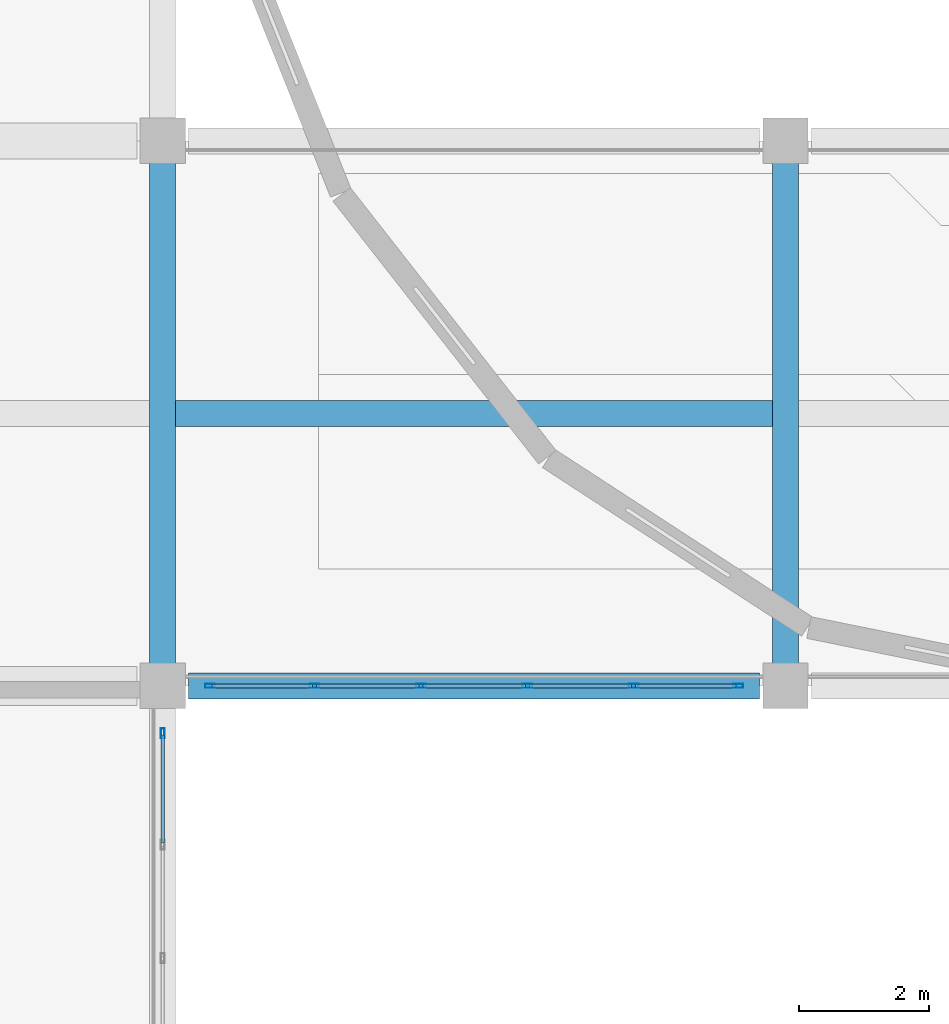
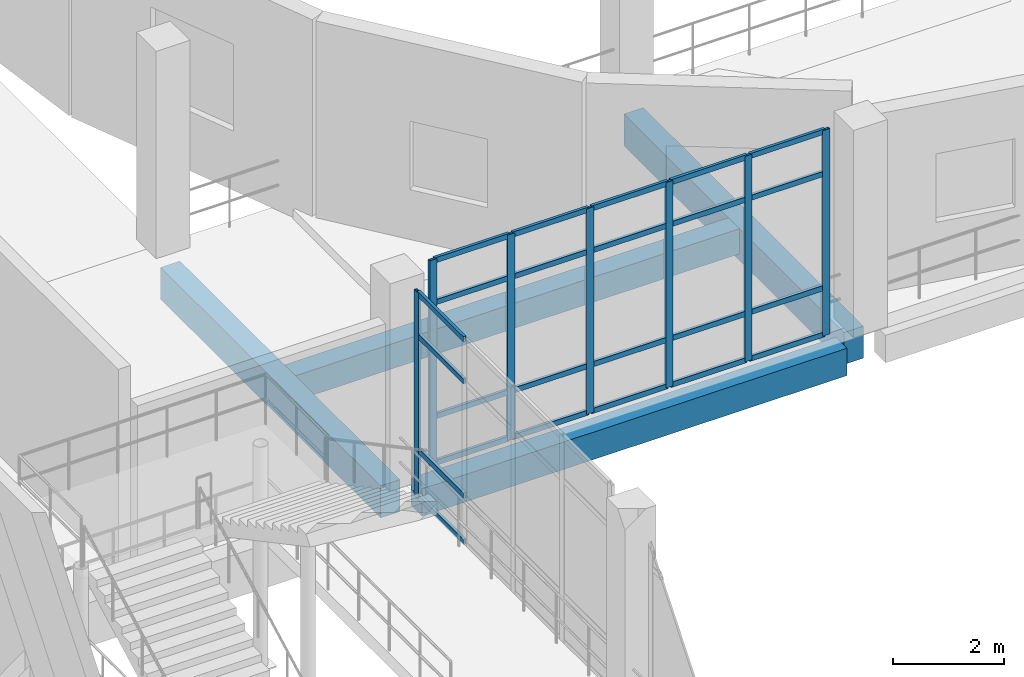
# One storey, part 43 of 102: 31 members, 4 beams, 2 elements without a shape of their own.
"""IFC4 building model written with IfcOpenShell, lengths in metres."""

import ifcopenshell
import ifcopenshell.guid

model = None  # the IFC model being written
_history = None  # IfcOwnerHistory: only IFC2X3 demands one
_inside = {}  # id of a spatial element -> (the spatial element, [elements in it])
_under = {}  # id of a project, library or spatial element -> (it, [spatial elements below it])
_declared = {}  # id of a project -> (the project, [libraries it declares])
_typed = {}  # id of a type object -> (the type object, [elements of that type])
_made_of = {}  # id of a material, layer set ... -> (it, [elements and type objects made of it])


def new_model(schema):
    """Start an empty IFC model of exactly this schema.

    Asked for "IFC4X3", IfcOpenShell would pick the latest addendum, in which some entities
    have other attributes; the version numbers below select the first issue.
    IFC2X3 requires an IfcOwnerHistory on every rooted entity: one is made here for all.
    """
    global model, _history
    if schema == "IFC4X3":
        model = ifcopenshell.file(schema_version=(4, 3, 0, 0))
    else:
        model = ifcopenshell.file(schema=schema)
    _inside.clear()
    _under.clear()
    _declared.clear()
    _typed.clear()
    _made_of.clear()
    _history = None
    if model.schema == "IFC2X3":
        org = make("IfcOrganization", Name="unknown")
        user = make(
            "IfcPersonAndOrganization",
            ThePerson=make("IfcPerson", FamilyName="unknown"),
            TheOrganization=org,
        )
        app = make(
            "IfcApplication",
            ApplicationDeveloper=org,
            Version="unknown",
            ApplicationFullName="unknown",
            ApplicationIdentifier="unknown",
        )
        _history = make(
            "IfcOwnerHistory",
            OwningUser=user,
            OwningApplication=app,
            ChangeAction="ADDED",
            CreationDate=0,
        )
    return model


def make(cls, **values):
    """One entity of the class cls with the attributes given. An attribute that is None is left unset."""
    return model.create_entity(
        cls, **{name: value for name, value in values.items() if value is not None}
    )


def rooted(cls, **values):
    """An entity with a GlobalId (a new one), such as an element, a storey or a relation."""
    return make(cls, GlobalId=ifcopenshell.guid.new(), OwnerHistory=_history, **values)


def si_unit(unit_type, name, prefix=None):
    """IfcSIUnit, for example si_unit("LENGTHUNIT", "METRE", prefix="MILLI")."""
    return make("IfcSIUnit", UnitType=unit_type, Prefix=prefix, Name=name)


def assignment(units):
    """IfcUnitAssignment: the units of a project."""
    return None if units is None else make("IfcUnitAssignment", Units=units)


def point(xyz):
    """IfcCartesianPoint."""
    return None if xyz is None else make("IfcCartesianPoint", Coordinates=xyz)


def direction(xyz):
    """IfcDirection."""
    return None if xyz is None else make("IfcDirection", DirectionRatios=xyz)


def frame(location, z_axis=None, x_axis=None):
    """IfcAxis2Placement3D, a coordinate frame: its origin and axes. An axis left out is left unset."""
    return make(
        "IfcAxis2Placement3D",
        Location=point(location),
        Axis=direction(z_axis),
        RefDirection=direction(x_axis),
    )


def frame_2d(location, x_axis=None):
    """IfcAxis2Placement2D, a coordinate frame in the plane: its origin and x axis."""
    return make(
        "IfcAxis2Placement2D", Location=point(location), RefDirection=direction(x_axis)
    )


def origin():
    """The frame at (0, 0, 0) with its axes left unset."""
    return frame((0.0, 0.0, 0.0))


def origin_2d():
    """The frame at (0, 0) in the plane with its x axis left unset."""
    return frame_2d((0.0, 0.0))


def place(relative_to, where):
    """IfcLocalPlacement: puts the frame where relative to a parent placement (None: the world)."""
    return make(
        "IfcLocalPlacement", PlacementRelTo=relative_to, RelativePlacement=where
    )


def context(
    kind, dimensions, precision=None, world=None, true_north=None, identifier=None
):
    """IfcGeometricRepresentationContext, for example the 3D "Model" context."""
    return make(
        "IfcGeometricRepresentationContext",
        ContextIdentifier=identifier,
        ContextType=kind,
        CoordinateSpaceDimension=dimensions,
        Precision=precision,
        WorldCoordinateSystem=world,
        TrueNorth=true_north,
    )


def subcontext(parent, identifier, kind, view, scale=None):
    """IfcGeometricRepresentationSubContext, for example "Body" below "Model"."""
    return make(
        "IfcGeometricRepresentationSubContext",
        ContextIdentifier=identifier,
        ContextType=kind,
        ParentContext=parent,
        TargetScale=scale,
        TargetView=view,
    )


def project(units=None, contexts=None):
    """IfcProject with its units and contexts."""
    return rooted(
        "IfcProject",
        Name="project",
        RepresentationContexts=contexts,
        UnitsInContext=assignment(units),
    )


def spatial(cls, under=None, at=None, **own):
    """A site, building, storey or space (cls), placed at a placement, below another one or the project."""
    s = rooted(cls, ObjectPlacement=at, **own)
    if under is not None:
        _under.setdefault(under.id(), (under, []))[1].append(s)
    return s


def profile(cls, at=None, kind="AREA", **sizes):
    """A parametric profile (cls). Its sizes go by their IFC names, for example OverallWidth=200.0."""
    return make(cls, ProfileType=kind, Position=at, **sizes)


def rectangle(**sizes):
    """IfcRectangleProfileDef."""
    return profile("IfcRectangleProfileDef", **sizes)


def hollow_rectangle(**sizes):
    """IfcRectangleHollowProfileDef."""
    return profile("IfcRectangleHollowProfileDef", **sizes)


def extrude(swept, where, along, depth):
    """IfcExtrudedAreaSolid: the profile swept, set in the frame where, extruded along a direction by depth."""
    return make(
        "IfcExtrudedAreaSolid",
        SweptArea=swept,
        Position=where,
        ExtrudedDirection=direction(along),
        Depth=depth,
    )


def shape(context_of_items, identifier, shape_type, items):
    """IfcShapeRepresentation: the items that make up one representation, for example the "Body"."""
    return make(
        "IfcShapeRepresentation",
        ContextOfItems=context_of_items,
        RepresentationIdentifier=identifier,
        RepresentationType=shape_type,
        Items=items,
    )


def material(Name=None, Category=None):
    """IfcMaterial."""
    return make("IfcMaterial", Name=Name, Category=Category)


def layer(
    of_material, thickness, ventilated=None, Name=None, Category=None, Priority=None
):
    """IfcMaterialLayer: one layer of a wall or slab, of a material (None: an air gap)."""
    return make(
        "IfcMaterialLayer",
        Material=of_material,
        LayerThickness=thickness,
        IsVentilated=ventilated,
        Name=Name,
        Category=Category,
        Priority=Priority,
    )


def layer_set(layers, Name=None):
    """IfcMaterialLayerSet."""
    return make("IfcMaterialLayerSet", MaterialLayers=layers, LayerSetName=Name)


def material_profile(
    of_material, cross_section, Name=None, Category=None, Priority=None
):
    """IfcMaterialProfile: a cross section and its material."""
    return make(
        "IfcMaterialProfile",
        Name=Name,
        Material=of_material,
        Profile=cross_section,
        Priority=Priority,
        Category=Category,
    )


def profile_set(profiles, Name=None, composite=None):
    """IfcMaterialProfileSet."""
    return make(
        "IfcMaterialProfileSet",
        Name=Name,
        MaterialProfiles=profiles,
        CompositeProfile=composite,
    )


def made_of(thing, what):
    """Note that an element or type object is made of a material, layer set ...; save() writes the relation."""
    if what is not None:
        _made_of.setdefault(what.id(), (what, []))[1].append(thing)
    return thing


def type_object(cls, material=None, **own):
    """A type object (cls), such as IfcWallType, which elements share."""
    return made_of(rooted(cls, **own), material)


def element(
    cls,
    number,
    at=None,
    inside=None,
    cuts=None,
    type_object=None,
    material=None,
    context=None,
    identifier="Body",
    shape_type=None,
    held_by="IfcProductDefinitionShape",
    body=None,
    shapes=None,
    **own,
):
    """One element of the class cls, such as IfcWall. Its Tag is "e" and its number.

    at: its placement. inside: the storey or other place that contains it. cuts: it is an
    opening in that element (IfcRelVoidsElement). A single representation is given by context,
    identifier, shape_type and body (its items); several are given by shapes. held_by: the class
    of the entity that holds the representations. save() writes the other relations.
    """
    e = rooted(cls, Tag="e%d" % number, ObjectPlacement=at, **own)
    if body is not None:
        shapes = [shape(context, identifier, shape_type, body)]
    if shapes is not None:
        e.Representation = make(held_by, Representations=shapes)
    if inside is not None:
        _inside.setdefault(inside.id(), (inside, []))[1].append(e)
    if cuts is not None:
        rooted(
            "IfcRelVoidsElement", RelatingBuildingElement=cuts, RelatedOpeningElement=e
        )
    if type_object is not None:
        _typed.setdefault(type_object.id(), (type_object, []))[1].append(e)
    return made_of(e, material)


def aggregate(whole, parts):
    """IfcRelAggregates: a whole, such as a stair, and the parts it consists of."""
    return rooted("IfcRelAggregates", RelatingObject=whole, RelatedObjects=parts)


def save(model, path):
    """Write the relations noted so far, then the file.

    IfcRelAggregates (storeys below a building ...), IfcRelContainedInSpatialStructure (elements
    in a storey), IfcRelDefinesByType, IfcRelAssociatesMaterial and IfcRelDeclares: one each for
    every whole, place, type object, material and project.
    """
    for whole, parts in _under.values():
        aggregate(whole, parts)
    for where, things in _inside.values():
        rooted(
            "IfcRelContainedInSpatialStructure",
            RelatedElements=things,
            RelatingStructure=where,
        )
    for kind, things in _typed.values():
        rooted("IfcRelDefinesByType", RelatedObjects=things, RelatingType=kind)
    for what, things in _made_of.values():
        rooted("IfcRelAssociatesMaterial", RelatedObjects=things, RelatingMaterial=what)
    for by, libraries in _declared.values():
        rooted("IfcRelDeclares", RelatingContext=by, RelatedDefinitions=libraries)
    model.write(path)


model = new_model("IFC4")

# Units and contexts
model_context = context("Model", 3, precision=1e-05, world=origin(), true_north=direction((0.0, 1.0)))
body_context = subcontext(model_context, "Body", "Model", "MODEL_VIEW")
ifc_project = project(units=[si_unit("LENGTHUNIT", "METRE"), si_unit("AREAUNIT", "SQUARE_METRE"), si_unit("VOLUMEUNIT", "CUBIC_METRE"), si_unit("PLANEANGLEUNIT", "RADIAN"), si_unit("MASSUNIT", "GRAM", prefix="KILO")], contexts=[model_context])

# Site, building, storey
site_placement = place(None, origin())
site = spatial("IfcSite", under=ifc_project, at=site_placement, CompositionType="ELEMENT")
building_placement = place(site_placement, origin())
building = spatial("IfcBuilding", under=site, at=building_placement, Name="Lornevale Opera House", CompositionType="ELEMENT")
storey_placement = place(building_placement, frame((0.0, 0.0, 5.39990234375)))
storey = spatial("IfcBuildingStorey", under=building, at=storey_placement, Name="L02", CompositionType="ELEMENT", Elevation=5.39990234375)

# Beams
ifc_material_1 = material(Name="Concrete 35 MPa (CSA A23.1 N)", Category="concrete")
ifc_material_profile_1 = material_profile(ifc_material_1, rectangle(XDim=0.39990234375, YDim=0.550048828125, at=origin_2d()), Name="RC400x550")
ifc_profile_set_1 = profile_set([ifc_material_profile_1], Name="Concrete 35 MPa (CSA A23.1 N)")
beam_type_1 = type_object("IfcBeamType", Name="Auditorium Tier Raker Beam 400x550", PredefinedType="JOIST", material=ifc_profile_set_1)
beam_1_placement = place(storey_placement, frame((67.39990234375, 37.800048828125, -0.574951171875), z_axis=(1.0, 0.0, 0.0), x_axis=(0.0, 1.0, 0.0)))
element("IfcBeam", 1, at=beam_1_placement, inside=storey, type_object=beam_type_1, Name="Auditorium Tier Raker Beam 400x550 2028", PredefinedType="JOIST", context=body_context, shape_type="SweptSolid", body=[
    extrude(rectangle(XDim=0.39990234375, YDim=0.550048828125, at=origin_2d()), origin(), (0.0, 0.0, 1.0), 9.2001953125),
])
ifc_material_profile_2 = material_profile(ifc_material_1, rectangle(XDim=0.39990234375, YDim=0.699951171875, at=origin_2d()), Name="RC400x700")
ifc_profile_set_2 = profile_set([ifc_material_profile_2], Name="Concrete 35 MPa (CSA A23.1 N)")
beam_type_2 = type_object("IfcBeamType", Name="Concrete Floor Beam 400x700", PredefinedType="USERDEFINED", material=ifc_profile_set_2)
for number, where, z_axis, x_axis, name in (
    (2, (67.199951171875, 33.85009765625, -0.64990234375), (0.0, 1.0, 0.0), (-1.0, 0.0, 0.0), "Concrete Floor Beam 400x700 1893"),
    (3, (76.800048828125, 33.85009765625, -0.64990234375), (0.0, 1.0, 0.0), (-1.0, 0.0, 0.0), "Concrete Floor Beam 400x700 1902"),
):
    element("IfcBeam", number, at=place(storey_placement, frame(where, z_axis=z_axis, x_axis=x_axis)), inside=storey, type_object=beam_type_2, Name=name, ObjectType="GIRDER", PredefinedType="USERDEFINED", context=body_context, shape_type="SweptSolid", body=[
        extrude(rectangle(XDim=0.39990234375, YDim=0.699951171875, at=origin_2d()), origin(), (0.0, 0.0, 1.0), 7.89990234375),
    ])
ifc_material_profile_3 = material_profile(ifc_material_1, rectangle(XDim=0.39990234375, YDim=0.60009765625, at=origin_2d()), Name="RC400x600")
ifc_profile_set_3 = profile_set([ifc_material_profile_3], Name="Concrete 35 MPa (CSA A23.1 N)")
beam_type_3 = type_object("IfcBeamType", Name="Concrete Spandrel Beam 400x600", PredefinedType="SPANDREL", material=ifc_profile_set_3)
beam_2_placement = place(storey_placement, frame((67.60009765625, 33.60009765625, -0.599853515625), z_axis=(1.0, 0.0, 0.0), x_axis=(0.0, 1.0, 0.0)))
element("IfcBeam", 4, at=beam_2_placement, inside=storey, type_object=beam_type_3, Name="Concrete Spandrel Beam 400x600 1713", PredefinedType="SPANDREL", context=body_context, shape_type="SweptSolid", body=[
    extrude(rectangle(XDim=0.39990234375, YDim=0.60009765625, at=origin_2d()), origin(), (0.0, 0.0, 1.0), 8.7998046875),
])

# Curtain wall, member
ifc_material_2 = material(Name="Anodized Oxide-Green Aluminium Framing", Category="aluminium")
ifc_layer = layer(ifc_material_2, 0.14990234375)
ifc_layer_set = layer_set([ifc_layer], Name="Anodized Oxide-Green Aluminium Framing")
curtain_wall_type = type_object("IfcCurtainWallType", Name="North-Light Clerestory Curtain Wall M1600", PredefinedType="NOTDEFINED", material=ifc_layer_set)
curtain_wall_1_placement = place(storey_placement, origin())
curtain_wall_1 = element("IfcCurtainWall", 5, at=curtain_wall_1_placement, inside=storey, type_object=curtain_wall_type, Name="North-Light Clerestory Curtain Wall M1600 CW-172", PredefinedType="NOTDEFINED")
ifc_material_profile_4 = material_profile(ifc_material_2, hollow_rectangle(XDim=0.06005859375, YDim=0.14990234375, WallThickness=0.00390625, at=origin_2d()), Name="ALU60x150x4")
ifc_profile_set_4 = profile_set([ifc_material_profile_4], Name="Anodized Oxide-Green Aluminium Framing")
member_type_1 = type_object("IfcMemberType", Name="Curtain Wall Mullion 60x150", PredefinedType="MULLION", material=ifc_profile_set_4)
member_1_placement = place(storey_placement, frame((67.199951171875, 32.8701171875, 0.0), z_axis=(0.0, 0.0, 1.0), x_axis=(-1.0, 0.0, 0.0)))
member_1 = element("IfcMember", 6, at=member_1_placement, type_object=member_type_1, Name="Curtain Wall Mullion 60x150 CW3496", PredefinedType="MULLION", context=body_context, shape_type="SweptSolid", body=[
    extrude(hollow_rectangle(XDim=0.06005859375, YDim=0.14990234375, WallThickness=0.00390625, at=origin_2d()), origin(), (0.0, 0.0, 1.0), 4.5),
])

# Curtain wall, members
curtain_wall_2_placement = place(storey_placement, origin())
curtain_wall_2 = element("IfcCurtainWall", 7, at=curtain_wall_2_placement, inside=storey, type_object=curtain_wall_type, Name="North-Light Clerestory Curtain Wall M1600 CW-175", PredefinedType="NOTDEFINED")
member_2_placement = place(storey_placement, frame((67.929931640625, 33.60009765625, 0.0), z_axis=(0.0, 0.0, 1.0), x_axis=(0.0, 1.0, 0.0)))
member_2 = element("IfcMember", 8, at=member_2_placement, type_object=member_type_1, Name="Curtain Wall Mullion 60x150 CW3591", PredefinedType="MULLION", context=body_context, shape_type="SweptSolid", body=[
    extrude(hollow_rectangle(XDim=0.06005859375, YDim=0.14990234375, WallThickness=0.00390625, at=origin_2d()), origin(), (0.0, 0.0, 1.0), 4.5),
])
member_3_placement = place(storey_placement, frame((69.5400390625, 33.60009765625, 0.0), z_axis=(0.0, 0.0, 1.0), x_axis=(0.0, 1.0, 0.0)))
member_3 = element("IfcMember", 9, at=member_3_placement, type_object=member_type_1, Name="Curtain Wall Mullion 60x150 CW3592", PredefinedType="MULLION", context=body_context, shape_type="SweptSolid", body=[
    extrude(hollow_rectangle(XDim=0.06005859375, YDim=0.14990234375, WallThickness=0.00390625, at=origin_2d()), origin(), (0.0, 0.0, 1.0), 4.5),
])
member_4_placement = place(storey_placement, frame((71.179931640625, 33.60009765625, 0.0), z_axis=(0.0, 0.0, 1.0), x_axis=(0.0, 1.0, 0.0)))
member_4 = element("IfcMember", 10, at=member_4_placement, type_object=member_type_1, Name="Curtain Wall Mullion 60x150 CW3593", PredefinedType="MULLION", context=body_context, shape_type="SweptSolid", body=[
    extrude(hollow_rectangle(XDim=0.06005859375, YDim=0.14990234375, WallThickness=0.00390625, at=origin_2d()), origin(), (0.0, 0.0, 1.0), 4.5),
])
member_5_placement = place(storey_placement, frame((72.820068359375, 33.60009765625, 0.0), z_axis=(0.0, 0.0, 1.0), x_axis=(0.0, 1.0, 0.0)))
member_5 = element("IfcMember", 11, at=member_5_placement, type_object=member_type_1, Name="Curtain Wall Mullion 60x150 CW3594", PredefinedType="MULLION", context=body_context, shape_type="SweptSolid", body=[
    extrude(hollow_rectangle(XDim=0.06005859375, YDim=0.14990234375, WallThickness=0.00390625, at=origin_2d()), origin(), (0.0, 0.0, 1.0), 4.5),
])
member_6_placement = place(storey_placement, frame((74.4599609375, 33.60009765625, 0.0), z_axis=(0.0, 0.0, 1.0), x_axis=(0.0, 1.0, 0.0)))
member_6 = element("IfcMember", 12, at=member_6_placement, type_object=member_type_1, Name="Curtain Wall Mullion 60x150 CW3595", PredefinedType="MULLION", context=body_context, shape_type="SweptSolid", body=[
    extrude(hollow_rectangle(XDim=0.06005859375, YDim=0.14990234375, WallThickness=0.00390625, at=origin_2d()), origin(), (0.0, 0.0, 1.0), 4.5),
])
member_7_placement = place(storey_placement, frame((76.070068359375, 33.60009765625, 0.0), z_axis=(0.0, 0.0, 1.0), x_axis=(0.0, 1.0, 0.0)))
member_7 = element("IfcMember", 13, at=member_7_placement, type_object=member_type_1, Name="Curtain Wall Mullion 60x150 CW3596", PredefinedType="MULLION", context=body_context, shape_type="SweptSolid", body=[
    extrude(hollow_rectangle(XDim=0.06005859375, YDim=0.14990234375, WallThickness=0.00390625, at=origin_2d()), origin(), (0.0, 0.0, 1.0), 4.5),
])

# Member
ifc_material_profile_5 = material_profile(ifc_material_2, hollow_rectangle(XDim=0.06005859375, YDim=0.114990234375, WallThickness=0.00390625, at=origin_2d()), Name="ALU60x115x4")
ifc_profile_set_5 = profile_set([ifc_material_profile_5], Name="Anodized Oxide-Green Aluminium Framing")
member_type_2 = type_object("IfcMemberType", Name="Curtain Wall Transom 60x115", PredefinedType="USERDEFINED", material=ifc_profile_set_5)
member_8_placement = place(storey_placement, frame((67.199951171875, 31.179931640625, 0.030029296875), z_axis=(0.0, 1.0, 0.0), x_axis=(-1.0, 0.0, 0.0)))
member_8 = element("IfcMember", 14, at=member_8_placement, type_object=member_type_2, Name="Curtain Wall Transom 60x115 CW3518", ObjectType="TRANSOM", PredefinedType="USERDEFINED", context=body_context, shape_type="SweptSolid", body=[
    extrude(hollow_rectangle(XDim=0.06005859375, YDim=0.114990234375, WallThickness=0.00390625, at=origin_2d()), origin(), (0.0, 0.0, 1.0), 1.66015625),
])

member_9_placement = place(storey_placement, frame((67.199951171875, 31.179931640625, 1.050048828125), z_axis=(0.0, 1.0, 0.0), x_axis=(-1.0, 0.0, 0.0)))
member_9 = element("IfcMember", 15, at=member_9_placement, type_object=member_type_2, Name="Curtain Wall Transom 60x115 CW3519", ObjectType="TRANSOM", PredefinedType="USERDEFINED", context=body_context, shape_type="SweptSolid", body=[
    extrude(hollow_rectangle(XDim=0.06005859375, YDim=0.114990234375, WallThickness=0.00390625, at=origin_2d()), origin(), (0.0, 0.0, 1.0), 1.66015625),
])

member_10_placement = place(storey_placement, frame((67.199951171875, 31.179931640625, 3.550048828125), z_axis=(0.0, 1.0, 0.0), x_axis=(-1.0, 0.0, 0.0)))
member_10 = element("IfcMember", 16, at=member_10_placement, type_object=member_type_2, Name="Curtain Wall Transom 60x115 CW3520", ObjectType="TRANSOM", PredefinedType="USERDEFINED", context=body_context, shape_type="SweptSolid", body=[
    extrude(hollow_rectangle(XDim=0.06005859375, YDim=0.114990234375, WallThickness=0.00390625, at=origin_2d()), origin(), (0.0, 0.0, 1.0), 1.66015625),
])

member_11_placement = place(storey_placement, frame((67.199951171875, 31.179931640625, 4.47021484375), z_axis=(0.0, 1.0, 0.0), x_axis=(-1.0, 0.0, 0.0)))
member_11 = element("IfcMember", 17, at=member_11_placement, type_object=member_type_2, Name="Curtain Wall Transom 60x115 CW3521", ObjectType="TRANSOM", PredefinedType="USERDEFINED", context=body_context, shape_type="SweptSolid", body=[
    extrude(hollow_rectangle(XDim=0.06005859375, YDim=0.114990234375, WallThickness=0.00390625, at=origin_2d()), origin(), (0.0, 0.0, 1.0), 1.66015625),
])

aggregate(curtain_wall_1, [member_1, member_8, member_9, member_10, member_11])

member_12_placement = place(storey_placement, frame((67.9599609375, 33.60009765625, 0.030029296875), z_axis=(1.0, 0.0, 0.0), x_axis=(0.0, 1.0, 0.0)))
member_12 = element("IfcMember", 18, at=member_12_placement, type_object=member_type_2, Name="Curtain Wall Transom 60x115 CW3597", ObjectType="TRANSOM", PredefinedType="USERDEFINED", context=body_context, shape_type="SweptSolid", body=[
    extrude(hollow_rectangle(XDim=0.06005859375, YDim=0.114990234375, WallThickness=0.00390625, at=origin_2d()), origin(), (0.0, 0.0, 1.0), 1.550048828125),
])

member_13_placement = place(storey_placement, frame((67.9599609375, 33.60009765625, 1.050048828125), z_axis=(1.0, 0.0, 0.0), x_axis=(0.0, 1.0, 0.0)))
member_13 = element("IfcMember", 19, at=member_13_placement, type_object=member_type_2, Name="Curtain Wall Transom 60x115 CW3598", ObjectType="TRANSOM", PredefinedType="USERDEFINED", context=body_context, shape_type="SweptSolid", body=[
    extrude(hollow_rectangle(XDim=0.06005859375, YDim=0.114990234375, WallThickness=0.00390625, at=origin_2d()), origin(), (0.0, 0.0, 1.0), 1.550048828125),
])

member_14_placement = place(storey_placement, frame((67.9599609375, 33.60009765625, 3.550048828125), z_axis=(1.0, 0.0, 0.0), x_axis=(0.0, 1.0, 0.0)))
member_14 = element("IfcMember", 20, at=member_14_placement, type_object=member_type_2, Name="Curtain Wall Transom 60x115 CW3599", ObjectType="TRANSOM", PredefinedType="USERDEFINED", context=body_context, shape_type="SweptSolid", body=[
    extrude(hollow_rectangle(XDim=0.06005859375, YDim=0.114990234375, WallThickness=0.00390625, at=origin_2d()), origin(), (0.0, 0.0, 1.0), 1.550048828125),
])

member_15_placement = place(storey_placement, frame((67.9599609375, 33.60009765625, 4.47021484375), z_axis=(1.0, 0.0, 0.0), x_axis=(0.0, 1.0, 0.0)))
member_15 = element("IfcMember", 21, at=member_15_placement, type_object=member_type_2, Name="Curtain Wall Transom 60x115 CW3600", ObjectType="TRANSOM", PredefinedType="USERDEFINED", context=body_context, shape_type="SweptSolid", body=[
    extrude(hollow_rectangle(XDim=0.06005859375, YDim=0.114990234375, WallThickness=0.00390625, at=origin_2d()), origin(), (0.0, 0.0, 1.0), 1.550048828125),
])

member_16_placement = place(storey_placement, frame((69.570068359375, 33.60009765625, 0.030029296875), z_axis=(1.0, 0.0, 0.0), x_axis=(0.0, 1.0, 0.0)))
member_16 = element("IfcMember", 22, at=member_16_placement, type_object=member_type_2, Name="Curtain Wall Transom 60x115 CW3604", ObjectType="TRANSOM", PredefinedType="USERDEFINED", context=body_context, shape_type="SweptSolid", body=[
    extrude(hollow_rectangle(XDim=0.06005859375, YDim=0.114990234375, WallThickness=0.00390625, at=origin_2d()), origin(), (0.0, 0.0, 1.0), 1.579833984375),
])

member_17_placement = place(storey_placement, frame((69.570068359375, 33.60009765625, 1.050048828125), z_axis=(1.0, 0.0, 0.0), x_axis=(0.0, 1.0, 0.0)))
member_17 = element("IfcMember", 23, at=member_17_placement, type_object=member_type_2, Name="Curtain Wall Transom 60x115 CW3605", ObjectType="TRANSOM", PredefinedType="USERDEFINED", context=body_context, shape_type="SweptSolid", body=[
    extrude(hollow_rectangle(XDim=0.06005859375, YDim=0.114990234375, WallThickness=0.00390625, at=origin_2d()), origin(), (0.0, 0.0, 1.0), 1.579833984375),
])

member_18_placement = place(storey_placement, frame((69.570068359375, 33.60009765625, 3.550048828125), z_axis=(1.0, 0.0, 0.0), x_axis=(0.0, 1.0, 0.0)))
member_18 = element("IfcMember", 24, at=member_18_placement, type_object=member_type_2, Name="Curtain Wall Transom 60x115 CW3606", ObjectType="TRANSOM", PredefinedType="USERDEFINED", context=body_context, shape_type="SweptSolid", body=[
    extrude(hollow_rectangle(XDim=0.06005859375, YDim=0.114990234375, WallThickness=0.00390625, at=origin_2d()), origin(), (0.0, 0.0, 1.0), 1.579833984375),
])

member_19_placement = place(storey_placement, frame((69.570068359375, 33.60009765625, 4.47021484375), z_axis=(1.0, 0.0, 0.0), x_axis=(0.0, 1.0, 0.0)))
member_19 = element("IfcMember", 25, at=member_19_placement, type_object=member_type_2, Name="Curtain Wall Transom 60x115 CW3607", ObjectType="TRANSOM", PredefinedType="USERDEFINED", context=body_context, shape_type="SweptSolid", body=[
    extrude(hollow_rectangle(XDim=0.06005859375, YDim=0.114990234375, WallThickness=0.00390625, at=origin_2d()), origin(), (0.0, 0.0, 1.0), 1.579833984375),
])

member_20_placement = place(storey_placement, frame((71.2099609375, 33.60009765625, 0.030029296875), z_axis=(1.0, 0.0, 0.0), x_axis=(0.0, 1.0, 0.0)))
member_20 = element("IfcMember", 26, at=member_20_placement, type_object=member_type_2, Name="Curtain Wall Transom 60x115 CW3611", ObjectType="TRANSOM", PredefinedType="USERDEFINED", context=body_context, shape_type="SweptSolid", body=[
    extrude(hollow_rectangle(XDim=0.06005859375, YDim=0.114990234375, WallThickness=0.00390625, at=origin_2d()), origin(), (0.0, 0.0, 1.0), 1.580078125),
])

member_21_placement = place(storey_placement, frame((71.2099609375, 33.60009765625, 1.050048828125), z_axis=(1.0, 0.0, 0.0), x_axis=(0.0, 1.0, 0.0)))
member_21 = element("IfcMember", 27, at=member_21_placement, type_object=member_type_2, Name="Curtain Wall Transom 60x115 CW3612", ObjectType="TRANSOM", PredefinedType="USERDEFINED", context=body_context, shape_type="SweptSolid", body=[
    extrude(hollow_rectangle(XDim=0.06005859375, YDim=0.114990234375, WallThickness=0.00390625, at=origin_2d()), origin(), (0.0, 0.0, 1.0), 1.580078125),
])

member_22_placement = place(storey_placement, frame((71.2099609375, 33.60009765625, 3.550048828125), z_axis=(1.0, 0.0, 0.0), x_axis=(0.0, 1.0, 0.0)))
member_22 = element("IfcMember", 28, at=member_22_placement, type_object=member_type_2, Name="Curtain Wall Transom 60x115 CW3613", ObjectType="TRANSOM", PredefinedType="USERDEFINED", context=body_context, shape_type="SweptSolid", body=[
    extrude(hollow_rectangle(XDim=0.06005859375, YDim=0.114990234375, WallThickness=0.00390625, at=origin_2d()), origin(), (0.0, 0.0, 1.0), 1.580078125),
])

member_23_placement = place(storey_placement, frame((71.2099609375, 33.60009765625, 4.47021484375), z_axis=(1.0, 0.0, 0.0), x_axis=(0.0, 1.0, 0.0)))
member_23 = element("IfcMember", 29, at=member_23_placement, type_object=member_type_2, Name="Curtain Wall Transom 60x115 CW3614", ObjectType="TRANSOM", PredefinedType="USERDEFINED", context=body_context, shape_type="SweptSolid", body=[
    extrude(hollow_rectangle(XDim=0.06005859375, YDim=0.114990234375, WallThickness=0.00390625, at=origin_2d()), origin(), (0.0, 0.0, 1.0), 1.580078125),
])

member_24_placement = place(storey_placement, frame((72.85009765625, 33.60009765625, 0.030029296875), z_axis=(1.0, 0.0, 0.0), x_axis=(0.0, 1.0, 0.0)))
member_24 = element("IfcMember", 30, at=member_24_placement, type_object=member_type_2, Name="Curtain Wall Transom 60x115 CW3618", ObjectType="TRANSOM", PredefinedType="USERDEFINED", context=body_context, shape_type="SweptSolid", body=[
    extrude(hollow_rectangle(XDim=0.06005859375, YDim=0.114990234375, WallThickness=0.00390625, at=origin_2d()), origin(), (0.0, 0.0, 1.0), 1.579833984375),
])

member_25_placement = place(storey_placement, frame((72.85009765625, 33.60009765625, 1.050048828125), z_axis=(1.0, 0.0, 0.0), x_axis=(0.0, 1.0, 0.0)))
member_25 = element("IfcMember", 31, at=member_25_placement, type_object=member_type_2, Name="Curtain Wall Transom 60x115 CW3619", ObjectType="TRANSOM", PredefinedType="USERDEFINED", context=body_context, shape_type="SweptSolid", body=[
    extrude(hollow_rectangle(XDim=0.06005859375, YDim=0.114990234375, WallThickness=0.00390625, at=origin_2d()), origin(), (0.0, 0.0, 1.0), 1.579833984375),
])

member_26_placement = place(storey_placement, frame((72.85009765625, 33.60009765625, 3.550048828125), z_axis=(1.0, 0.0, 0.0), x_axis=(0.0, 1.0, 0.0)))
member_26 = element("IfcMember", 32, at=member_26_placement, type_object=member_type_2, Name="Curtain Wall Transom 60x115 CW3620", ObjectType="TRANSOM", PredefinedType="USERDEFINED", context=body_context, shape_type="SweptSolid", body=[
    extrude(hollow_rectangle(XDim=0.06005859375, YDim=0.114990234375, WallThickness=0.00390625, at=origin_2d()), origin(), (0.0, 0.0, 1.0), 1.579833984375),
])

member_27_placement = place(storey_placement, frame((72.85009765625, 33.60009765625, 4.47021484375), z_axis=(1.0, 0.0, 0.0), x_axis=(0.0, 1.0, 0.0)))
member_27 = element("IfcMember", 33, at=member_27_placement, type_object=member_type_2, Name="Curtain Wall Transom 60x115 CW3621", ObjectType="TRANSOM", PredefinedType="USERDEFINED", context=body_context, shape_type="SweptSolid", body=[
    extrude(hollow_rectangle(XDim=0.06005859375, YDim=0.114990234375, WallThickness=0.00390625, at=origin_2d()), origin(), (0.0, 0.0, 1.0), 1.579833984375),
])

member_28_placement = place(storey_placement, frame((74.489990234375, 33.60009765625, 0.030029296875), z_axis=(1.0, 0.0, 0.0), x_axis=(0.0, 1.0, 0.0)))
member_28 = element("IfcMember", 34, at=member_28_placement, type_object=member_type_2, Name="Curtain Wall Transom 60x115 CW3625", ObjectType="TRANSOM", PredefinedType="USERDEFINED", context=body_context, shape_type="SweptSolid", body=[
    extrude(hollow_rectangle(XDim=0.06005859375, YDim=0.114990234375, WallThickness=0.00390625, at=origin_2d()), origin(), (0.0, 0.0, 1.0), 1.550048828125),
])

member_29_placement = place(storey_placement, frame((74.489990234375, 33.60009765625, 1.050048828125), z_axis=(1.0, 0.0, 0.0), x_axis=(0.0, 1.0, 0.0)))
member_29 = element("IfcMember", 35, at=member_29_placement, type_object=member_type_2, Name="Curtain Wall Transom 60x115 CW3626", ObjectType="TRANSOM", PredefinedType="USERDEFINED", context=body_context, shape_type="SweptSolid", body=[
    extrude(hollow_rectangle(XDim=0.06005859375, YDim=0.114990234375, WallThickness=0.00390625, at=origin_2d()), origin(), (0.0, 0.0, 1.0), 1.550048828125),
])

member_30_placement = place(storey_placement, frame((74.489990234375, 33.60009765625, 3.550048828125), z_axis=(1.0, 0.0, 0.0), x_axis=(0.0, 1.0, 0.0)))
member_30 = element("IfcMember", 36, at=member_30_placement, type_object=member_type_2, Name="Curtain Wall Transom 60x115 CW3627", ObjectType="TRANSOM", PredefinedType="USERDEFINED", context=body_context, shape_type="SweptSolid", body=[
    extrude(hollow_rectangle(XDim=0.06005859375, YDim=0.114990234375, WallThickness=0.00390625, at=origin_2d()), origin(), (0.0, 0.0, 1.0), 1.550048828125),
])

member_31_placement = place(storey_placement, frame((74.489990234375, 33.60009765625, 4.47021484375), z_axis=(1.0, 0.0, 0.0), x_axis=(0.0, 1.0, 0.0)))
member_31 = element("IfcMember", 37, at=member_31_placement, type_object=member_type_2, Name="Curtain Wall Transom 60x115 CW3628", ObjectType="TRANSOM", PredefinedType="USERDEFINED", context=body_context, shape_type="SweptSolid", body=[
    extrude(hollow_rectangle(XDim=0.06005859375, YDim=0.114990234375, WallThickness=0.00390625, at=origin_2d()), origin(), (0.0, 0.0, 1.0), 1.550048828125),
])

aggregate(curtain_wall_2, [member_2, member_3, member_4, member_5, member_6, member_7, member_12, member_13, member_14, member_15, member_16, member_17, member_18, member_19, member_20, member_21, member_22, member_23, member_24, member_25, member_26, member_27, member_28, member_29, member_30, member_31])

save(model, "model.ifc")
